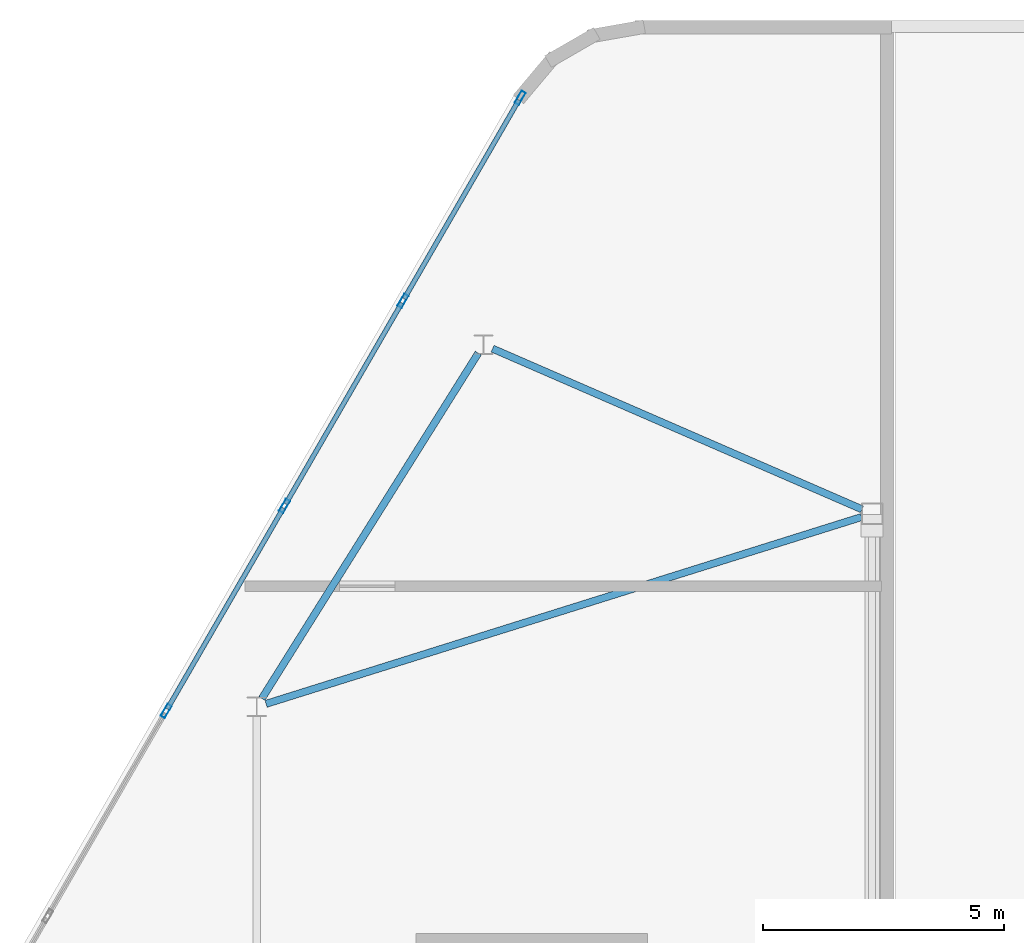
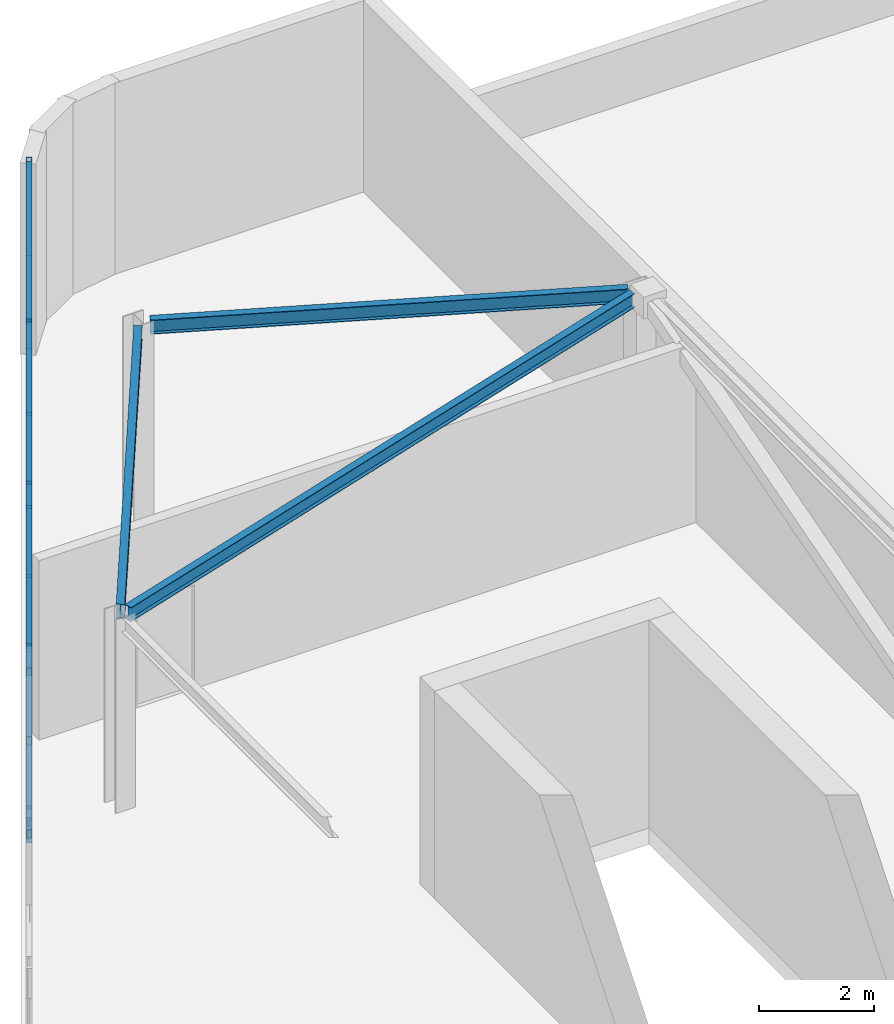
# One storey, part 9 of 14: 13 members, 3 beams, 1 element without a shape of its own.
"""IFC4 building model written with IfcOpenShell, lengths in metres."""

import ifcopenshell
import ifcopenshell.guid

model = None  # the IFC model being written
_history = None  # IfcOwnerHistory: only IFC2X3 demands one
_inside = {}  # id of a spatial element -> (the spatial element, [elements in it])
_under = {}  # id of a project, library or spatial element -> (it, [spatial elements below it])
_declared = {}  # id of a project -> (the project, [libraries it declares])
_typed = {}  # id of a type object -> (the type object, [elements of that type])
_made_of = {}  # id of a material, layer set ... -> (it, [elements and type objects made of it])


def new_model(schema):
    """Start an empty IFC model of exactly this schema.

    Asked for "IFC4X3", IfcOpenShell would pick the latest addendum, in which some entities
    have other attributes; the version numbers below select the first issue.
    IFC2X3 requires an IfcOwnerHistory on every rooted entity: one is made here for all.
    """
    global model, _history
    if schema == "IFC4X3":
        model = ifcopenshell.file(schema_version=(4, 3, 0, 0))
    else:
        model = ifcopenshell.file(schema=schema)
    _inside.clear()
    _under.clear()
    _declared.clear()
    _typed.clear()
    _made_of.clear()
    _history = None
    if model.schema == "IFC2X3":
        org = make("IfcOrganization", Name="unknown")
        user = make(
            "IfcPersonAndOrganization",
            ThePerson=make("IfcPerson", FamilyName="unknown"),
            TheOrganization=org,
        )
        app = make(
            "IfcApplication",
            ApplicationDeveloper=org,
            Version="unknown",
            ApplicationFullName="unknown",
            ApplicationIdentifier="unknown",
        )
        _history = make(
            "IfcOwnerHistory",
            OwningUser=user,
            OwningApplication=app,
            ChangeAction="ADDED",
            CreationDate=0,
        )
    return model


def make(cls, **values):
    """One entity of the class cls with the attributes given. An attribute that is None is left unset."""
    return model.create_entity(
        cls, **{name: value for name, value in values.items() if value is not None}
    )


def rooted(cls, **values):
    """An entity with a GlobalId (a new one), such as an element, a storey or a relation."""
    return make(cls, GlobalId=ifcopenshell.guid.new(), OwnerHistory=_history, **values)


def si_unit(unit_type, name, prefix=None):
    """IfcSIUnit, for example si_unit("LENGTHUNIT", "METRE", prefix="MILLI")."""
    return make("IfcSIUnit", UnitType=unit_type, Prefix=prefix, Name=name)


def assignment(units):
    """IfcUnitAssignment: the units of a project."""
    return None if units is None else make("IfcUnitAssignment", Units=units)


def point(xyz):
    """IfcCartesianPoint."""
    return None if xyz is None else make("IfcCartesianPoint", Coordinates=xyz)


def direction(xyz):
    """IfcDirection."""
    return None if xyz is None else make("IfcDirection", DirectionRatios=xyz)


def frame(location, z_axis=None, x_axis=None):
    """IfcAxis2Placement3D, a coordinate frame: its origin and axes. An axis left out is left unset."""
    return make(
        "IfcAxis2Placement3D",
        Location=point(location),
        Axis=direction(z_axis),
        RefDirection=direction(x_axis),
    )


def frame_2d(location, x_axis=None):
    """IfcAxis2Placement2D, a coordinate frame in the plane: its origin and x axis."""
    return make(
        "IfcAxis2Placement2D", Location=point(location), RefDirection=direction(x_axis)
    )


def origin():
    """The frame at (0, 0, 0) with its axes left unset."""
    return frame((0.0, 0.0, 0.0))


def origin_2d():
    """The frame at (0, 0) in the plane with its x axis left unset."""
    return frame_2d((0.0, 0.0))


def place(relative_to, where):
    """IfcLocalPlacement: puts the frame where relative to a parent placement (None: the world)."""
    return make(
        "IfcLocalPlacement", PlacementRelTo=relative_to, RelativePlacement=where
    )


def context(
    kind, dimensions, precision=None, world=None, true_north=None, identifier=None
):
    """IfcGeometricRepresentationContext, for example the 3D "Model" context."""
    return make(
        "IfcGeometricRepresentationContext",
        ContextIdentifier=identifier,
        ContextType=kind,
        CoordinateSpaceDimension=dimensions,
        Precision=precision,
        WorldCoordinateSystem=world,
        TrueNorth=true_north,
    )


def subcontext(parent, identifier, kind, view, scale=None):
    """IfcGeometricRepresentationSubContext, for example "Body" below "Model"."""
    return make(
        "IfcGeometricRepresentationSubContext",
        ContextIdentifier=identifier,
        ContextType=kind,
        ParentContext=parent,
        TargetScale=scale,
        TargetView=view,
    )


def project(units=None, contexts=None):
    """IfcProject with its units and contexts."""
    return rooted(
        "IfcProject",
        Name="project",
        RepresentationContexts=contexts,
        UnitsInContext=assignment(units),
    )


def spatial(cls, under=None, at=None, **own):
    """A site, building, storey or space (cls), placed at a placement, below another one or the project."""
    s = rooted(cls, ObjectPlacement=at, **own)
    if under is not None:
        _under.setdefault(under.id(), (under, []))[1].append(s)
    return s


def profile(cls, at=None, kind="AREA", **sizes):
    """A parametric profile (cls). Its sizes go by their IFC names, for example OverallWidth=200.0."""
    return make(cls, ProfileType=kind, Position=at, **sizes)


def hollow_rectangle(**sizes):
    """IfcRectangleHollowProfileDef."""
    return profile("IfcRectangleHollowProfileDef", **sizes)


def i_section(**sizes):
    """IfcIShapeProfileDef."""
    return profile("IfcIShapeProfileDef", **sizes)


def extrude(swept, where, along, depth):
    """IfcExtrudedAreaSolid: the profile swept, set in the frame where, extruded along a direction by depth."""
    return make(
        "IfcExtrudedAreaSolid",
        SweptArea=swept,
        Position=where,
        ExtrudedDirection=direction(along),
        Depth=depth,
    )


def shape(context_of_items, identifier, shape_type, items):
    """IfcShapeRepresentation: the items that make up one representation, for example the "Body"."""
    return make(
        "IfcShapeRepresentation",
        ContextOfItems=context_of_items,
        RepresentationIdentifier=identifier,
        RepresentationType=shape_type,
        Items=items,
    )


def material(Name=None, Category=None):
    """IfcMaterial."""
    return make("IfcMaterial", Name=Name, Category=Category)


def material_profile(
    of_material, cross_section, Name=None, Category=None, Priority=None
):
    """IfcMaterialProfile: a cross section and its material."""
    return make(
        "IfcMaterialProfile",
        Name=Name,
        Material=of_material,
        Profile=cross_section,
        Priority=Priority,
        Category=Category,
    )


def profile_set(profiles, Name=None, composite=None):
    """IfcMaterialProfileSet."""
    return make(
        "IfcMaterialProfileSet",
        Name=Name,
        MaterialProfiles=profiles,
        CompositeProfile=composite,
    )


def made_of(thing, what):
    """Note that an element or type object is made of a material, layer set ...; save() writes the relation."""
    if what is not None:
        _made_of.setdefault(what.id(), (what, []))[1].append(thing)
    return thing


def type_object(cls, material=None, **own):
    """A type object (cls), such as IfcWallType, which elements share."""
    return made_of(rooted(cls, **own), material)


def element(
    cls,
    number,
    at=None,
    inside=None,
    cuts=None,
    type_object=None,
    material=None,
    context=None,
    identifier="Body",
    shape_type=None,
    held_by="IfcProductDefinitionShape",
    body=None,
    shapes=None,
    **own,
):
    """One element of the class cls, such as IfcWall. Its Tag is "e" and its number.

    at: its placement. inside: the storey or other place that contains it. cuts: it is an
    opening in that element (IfcRelVoidsElement). A single representation is given by context,
    identifier, shape_type and body (its items); several are given by shapes. held_by: the class
    of the entity that holds the representations. save() writes the other relations.
    """
    e = rooted(cls, Tag="e%d" % number, ObjectPlacement=at, **own)
    if body is not None:
        shapes = [shape(context, identifier, shape_type, body)]
    if shapes is not None:
        e.Representation = make(held_by, Representations=shapes)
    if inside is not None:
        _inside.setdefault(inside.id(), (inside, []))[1].append(e)
    if cuts is not None:
        rooted(
            "IfcRelVoidsElement", RelatingBuildingElement=cuts, RelatedOpeningElement=e
        )
    if type_object is not None:
        _typed.setdefault(type_object.id(), (type_object, []))[1].append(e)
    return made_of(e, material)


def aggregate(whole, parts):
    """IfcRelAggregates: a whole, such as a stair, and the parts it consists of."""
    return rooted("IfcRelAggregates", RelatingObject=whole, RelatedObjects=parts)


def save(model, path):
    """Write the relations noted so far, then the file.

    IfcRelAggregates (storeys below a building ...), IfcRelContainedInSpatialStructure (elements
    in a storey), IfcRelDefinesByType, IfcRelAssociatesMaterial and IfcRelDeclares: one each for
    every whole, place, type object, material and project.
    """
    for whole, parts in _under.values():
        aggregate(whole, parts)
    for where, things in _inside.values():
        rooted(
            "IfcRelContainedInSpatialStructure",
            RelatedElements=things,
            RelatingStructure=where,
        )
    for kind, things in _typed.values():
        rooted("IfcRelDefinesByType", RelatedObjects=things, RelatingType=kind)
    for what, things in _made_of.values():
        rooted("IfcRelAssociatesMaterial", RelatedObjects=things, RelatingMaterial=what)
    for by, libraries in _declared.values():
        rooted("IfcRelDeclares", RelatingContext=by, RelatedDefinitions=libraries)
    model.write(path)


model = new_model("IFC4")

# Units and contexts
model_context = context("Model", 3, precision=1e-05, world=origin(), true_north=direction((0.0, 1.0)))
body_context = subcontext(model_context, "Body", "Model", "MODEL_VIEW")
ifc_project = project(units=[si_unit("LENGTHUNIT", "METRE"), si_unit("AREAUNIT", "SQUARE_METRE"), si_unit("VOLUMEUNIT", "CUBIC_METRE"), si_unit("PLANEANGLEUNIT", "RADIAN"), si_unit("MASSUNIT", "GRAM", prefix="KILO")], contexts=[model_context])

# Site, building, storey
site_placement = place(None, origin())
site = spatial("IfcSite", under=ifc_project, at=site_placement, CompositionType="ELEMENT")
building_placement = place(site_placement, origin())
building = spatial("IfcBuilding", under=site, at=building_placement, Name="Zuhravey Tower", CompositionType="ELEMENT")
storey_placement = place(building_placement, frame((0.0, 0.0, 379.0)))
storey = spatial("IfcBuildingStorey", under=building, at=storey_placement, Name="L96", CompositionType="ELEMENT", Elevation=379.0)

# Beams
ifc_material_1 = material(Name="Steel SM355", Category="steel")
ifc_material_profile_1 = material_profile(ifc_material_1, i_section(OverallWidth=0.14990234375, OverallDepth=0.300048828125, WebThickness=0.007080078125, FlangeThickness=0.010009765625, at=origin_2d()), Name="H-300x150x7x10")
ifc_profile_set_1 = profile_set([ifc_material_profile_1], Name="Steel SM355")
beam_type = type_object("IfcBeamType", Name="Crown Roof Purlin H300x150", PredefinedType="USERDEFINED", material=ifc_profile_set_1)
beam_1_placement = place(storey_placement, frame((15.908447265625, 42.1728515625, 3.949951171875), z_axis=(0.530996685116, 0.847373896457, 0.0), x_axis=(-0.847373896457, 0.530996685116, 0.0)))
element("IfcBeam", 1, at=beam_1_placement, inside=storey, type_object=beam_type, Name="L96 CRP1 BM-L96-WCR-1-3", ObjectType="PURLIN", PredefinedType="USERDEFINED", context=body_context, shape_type="SweptSolid", body=[
    extrude(i_section(OverallWidth=0.14990234375, OverallDepth=0.300048828125, WebThickness=0.007080078125, FlangeThickness=0.010009765625, at=origin_2d()), origin(), (0.0, 0.0, 1.0), 8.44287109375),
])
beam_2_placement = place(storey_placement, frame((20.68701171875, 49.418701171875, 3.949951171875), z_axis=(0.91707145158, -0.398722902147, 0.0), x_axis=(0.398722902147, 0.91707145158, 0.0)))
element("IfcBeam", 2, at=beam_2_placement, inside=storey, type_object=beam_type, Name="L96 CRP1 BM-L96-WCR-3-6", ObjectType="PURLIN", PredefinedType="USERDEFINED", context=body_context, shape_type="SweptSolid", body=[
    extrude(i_section(OverallWidth=0.14990234375, OverallDepth=0.300048828125, WebThickness=0.007080078125, FlangeThickness=0.010009765625, at=origin_2d()), origin(), (0.0, 0.0, 1.0), 8.34521484375),
])
beam_3_placement = place(storey_placement, frame((15.99462890625, 42.06103515625, 3.949951171875), z_axis=(0.954147439285, 0.299337040984, 0.0), x_axis=(-0.299337040984, 0.954147439285, 0.0)))
element("IfcBeam", 3, at=beam_3_placement, inside=storey, type_object=beam_type, Name="L96 CRP1 BM-L96-WCR-1-6", ObjectType="PURLIN", PredefinedType="USERDEFINED", context=body_context, shape_type="SweptSolid", body=[
    extrude(i_section(OverallWidth=0.14990234375, OverallDepth=0.300048828125, WebThickness=0.007080078125, FlangeThickness=0.010009765625, at=origin_2d()), origin(), (0.0, 0.0, 1.0), 12.9296875),
])

# Curtain wall, members
ifc_material_2 = material(Name="Thermally broken anodised aluminium", Category="aluminium")
curtain_wall_type = type_object("IfcCurtainWallType", Name="Split-Top Crown Screened Curtain Wall CW6", PredefinedType="NOTDEFINED", material=ifc_material_2)
curtain_wall_placement = place(storey_placement, origin())
curtain_wall = element("IfcCurtainWall", 4, at=curtain_wall_placement, inside=storey, type_object=curtain_wall_type, Name="L96 CW6 CW6-L96-WEST-08", PredefinedType="NOTDEFINED")
ifc_material_3 = material(Name="Anodised aluminium", Category="aluminium")
ifc_material_profile_2 = material_profile(ifc_material_3, hollow_rectangle(XDim=0.10009765625, YDim=0.2900390625, WallThickness=0.006103515625, at=origin_2d()), Name="ALU-RHS-100x290x6")
ifc_profile_set_2 = profile_set([ifc_material_profile_2], Name="Anodised aluminium")
member_type_1 = type_object("IfcMemberType", Name="Heavy Tall-Storey Mullion 100x220", PredefinedType="MULLION", material=ifc_profile_set_2)
member_1_placement = place(storey_placement, frame((13.9248046875, 41.912841796875, 0.0), z_axis=(0.0, 0.0, 1.0), x_axis=(-0.866027063754, 0.499997124838, 0.0)))
member_1 = element("IfcMember", 5, at=member_1_placement, type_object=member_type_1, Name="CW6 mullion 3", PredefinedType="MULLION", context=body_context, shape_type="SweptSolid", body=[
    extrude(hollow_rectangle(XDim=0.10009765625, YDim=0.2900390625, WallThickness=0.006103515625, at=origin_2d()), origin(), (0.0, 0.0, 1.0), 4.050048828125),
])
member_2_placement = place(storey_placement, frame((16.377685546875, 46.161376953125, 0.0), z_axis=(0.0, 0.0, 1.0), x_axis=(-0.866027063754, 0.499997124838, 0.0)))
member_2 = element("IfcMember", 6, at=member_2_placement, type_object=member_type_1, Name="CW6 mullion 4", PredefinedType="MULLION", context=body_context, shape_type="SweptSolid", body=[
    extrude(hollow_rectangle(XDim=0.10009765625, YDim=0.2900390625, WallThickness=0.006103515625, at=origin_2d()), origin(), (0.0, 0.0, 1.0), 4.050048828125),
])
member_3_placement = place(storey_placement, frame((18.83056640625, 50.409912109375, 0.0), z_axis=(0.0, 0.0, 1.0), x_axis=(-0.866027063754, 0.499997124838, 0.0)))
member_3 = element("IfcMember", 7, at=member_3_placement, type_object=member_type_1, Name="CW6 mullion 5", PredefinedType="MULLION", context=body_context, shape_type="SweptSolid", body=[
    extrude(hollow_rectangle(XDim=0.10009765625, YDim=0.2900390625, WallThickness=0.006103515625, at=origin_2d()), origin(), (0.0, 0.0, 1.0), 4.050048828125),
])
member_4_placement = place(storey_placement, frame((21.258544921875, 54.615234375, 0.0), z_axis=(0.0, 0.0, 1.0), x_axis=(-0.866027063754, 0.499997124838, 0.0)))
member_4 = element("IfcMember", 8, at=member_4_placement, type_object=member_type_1, Name="CW6 mullion 6", PredefinedType="MULLION", context=body_context, shape_type="SweptSolid", body=[
    extrude(hollow_rectangle(XDim=0.10009765625, YDim=0.2900390625, WallThickness=0.006103515625, at=origin_2d()), origin(), (0.0, 0.0, 1.0), 4.050048828125),
])
ifc_material_profile_3 = material_profile(ifc_material_3, hollow_rectangle(XDim=0.10009765625, YDim=0.179931640625, WallThickness=0.006103515625, at=origin_2d()), Name="ALU-RHS-100x180x6")
ifc_profile_set_3 = profile_set([ifc_material_profile_3], Name="Anodised aluminium")
member_type_2 = type_object("IfcMemberType", Name="Tall-Storey Transom 100x180", PredefinedType="USERDEFINED", material=ifc_profile_set_3)
member_5_placement = place(storey_placement, frame((13.94970703125, 41.9560546875, 0.050048828125), z_axis=(0.50003466983, 0.866005386223, 0.0), x_axis=(-0.866005386223, 0.50003466983, 0.0)))
member_5 = element("IfcMember", 9, at=member_5_placement, type_object=member_type_2, Name="CW6 transom 3.1", ObjectType="TRANSOM", PredefinedType="USERDEFINED", context=body_context, shape_type="SweptSolid", body=[
    extrude(hollow_rectangle(XDim=0.10009765625, YDim=0.179931640625, WallThickness=0.006103515625, at=origin_2d()), origin(), (0.0, 0.0, 1.0), 4.805908203125),
])
member_6_placement = place(storey_placement, frame((13.94970703125, 41.9560546875, 2.02490234375), z_axis=(0.50003466983, 0.866005386223, 0.0), x_axis=(-0.866005386223, 0.50003466983, 0.0)))
member_6 = element("IfcMember", 10, at=member_6_placement, type_object=member_type_2, Name="CW6 transom 3.2", ObjectType="TRANSOM", PredefinedType="USERDEFINED", context=body_context, shape_type="SweptSolid", body=[
    extrude(hollow_rectangle(XDim=0.10009765625, YDim=0.179931640625, WallThickness=0.006103515625, at=origin_2d()), origin(), (0.0, 0.0, 1.0), 4.805908203125),
])
member_7_placement = place(storey_placement, frame((13.94970703125, 41.9560546875, 4.0), z_axis=(0.50003466983, 0.866005386223, 0.0), x_axis=(-0.866005386223, 0.50003466983, 0.0)))
member_7 = element("IfcMember", 11, at=member_7_placement, type_object=member_type_2, Name="CW6 transom 3.3", ObjectType="TRANSOM", PredefinedType="USERDEFINED", context=body_context, shape_type="SweptSolid", body=[
    extrude(hollow_rectangle(XDim=0.10009765625, YDim=0.179931640625, WallThickness=0.006103515625, at=origin_2d()), origin(), (0.0, 0.0, 1.0), 4.805908203125),
])
member_8_placement = place(storey_placement, frame((16.402587890625, 46.20458984375, 0.050048828125), z_axis=(0.500012672123, 0.866018087407, 0.0), x_axis=(-0.866018087407, 0.500012672123, 0.0)))
member_8 = element("IfcMember", 12, at=member_8_placement, type_object=member_type_2, Name="CW6 transom 4.1", ObjectType="TRANSOM", PredefinedType="USERDEFINED", context=body_context, shape_type="SweptSolid", body=[
    extrude(hollow_rectangle(XDim=0.10009765625, YDim=0.179931640625, WallThickness=0.006103515625, at=origin_2d()), origin(), (0.0, 0.0, 1.0), 4.80615234375),
])
member_9_placement = place(storey_placement, frame((16.402587890625, 46.20458984375, 2.02490234375), z_axis=(0.500012672123, 0.866018087407, 0.0), x_axis=(-0.866018087407, 0.500012672123, 0.0)))
member_9 = element("IfcMember", 13, at=member_9_placement, type_object=member_type_2, Name="CW6 transom 4.2", ObjectType="TRANSOM", PredefinedType="USERDEFINED", context=body_context, shape_type="SweptSolid", body=[
    extrude(hollow_rectangle(XDim=0.10009765625, YDim=0.179931640625, WallThickness=0.006103515625, at=origin_2d()), origin(), (0.0, 0.0, 1.0), 4.80615234375),
])
member_10_placement = place(storey_placement, frame((16.402587890625, 46.20458984375, 4.0), z_axis=(0.500012672123, 0.866018087407, 0.0), x_axis=(-0.866018087407, 0.500012672123, 0.0)))
member_10 = element("IfcMember", 14, at=member_10_placement, type_object=member_type_2, Name="CW6 transom 4.3", ObjectType="TRANSOM", PredefinedType="USERDEFINED", context=body_context, shape_type="SweptSolid", body=[
    extrude(hollow_rectangle(XDim=0.10009765625, YDim=0.179931640625, WallThickness=0.006103515625, at=origin_2d()), origin(), (0.0, 0.0, 1.0), 4.80615234375),
])
member_11_placement = place(storey_placement, frame((18.855712890625, 50.453125, 0.050048828125), z_axis=(0.499965384433, 0.866045388169, 0.0), x_axis=(-0.866045388169, 0.499965384433, 0.0)))
member_11 = element("IfcMember", 15, at=member_11_placement, type_object=member_type_2, Name="CW6 transom 5.1", ObjectType="TRANSOM", PredefinedType="USERDEFINED", context=body_context, shape_type="SweptSolid", body=[
    extrude(hollow_rectangle(XDim=0.10009765625, YDim=0.179931640625, WallThickness=0.006103515625, at=origin_2d()), origin(), (0.0, 0.0, 1.0), 4.755615234375),
])
member_12_placement = place(storey_placement, frame((18.855712890625, 50.453125, 2.02490234375), z_axis=(0.499965384433, 0.866045388169, 0.0), x_axis=(-0.866045388169, 0.499965384433, 0.0)))
member_12 = element("IfcMember", 16, at=member_12_placement, type_object=member_type_2, Name="CW6 transom 5.2", ObjectType="TRANSOM", PredefinedType="USERDEFINED", context=body_context, shape_type="SweptSolid", body=[
    extrude(hollow_rectangle(XDim=0.10009765625, YDim=0.179931640625, WallThickness=0.006103515625, at=origin_2d()), origin(), (0.0, 0.0, 1.0), 4.755615234375),
])
member_13_placement = place(storey_placement, frame((18.855712890625, 50.453125, 4.0), z_axis=(0.499965384433, 0.866045388169, 0.0), x_axis=(-0.866045388169, 0.499965384433, 0.0)))
member_13 = element("IfcMember", 17, at=member_13_placement, type_object=member_type_2, Name="CW6 transom 5.3", ObjectType="TRANSOM", PredefinedType="USERDEFINED", context=body_context, shape_type="SweptSolid", body=[
    extrude(hollow_rectangle(XDim=0.10009765625, YDim=0.179931640625, WallThickness=0.006103515625, at=origin_2d()), origin(), (0.0, 0.0, 1.0), 4.755615234375),
])
aggregate(curtain_wall, [member_1, member_2, member_3, member_4, member_5, member_6, member_7, member_8, member_9, member_10, member_11, member_12, member_13])

save(model, "model.ifc")
